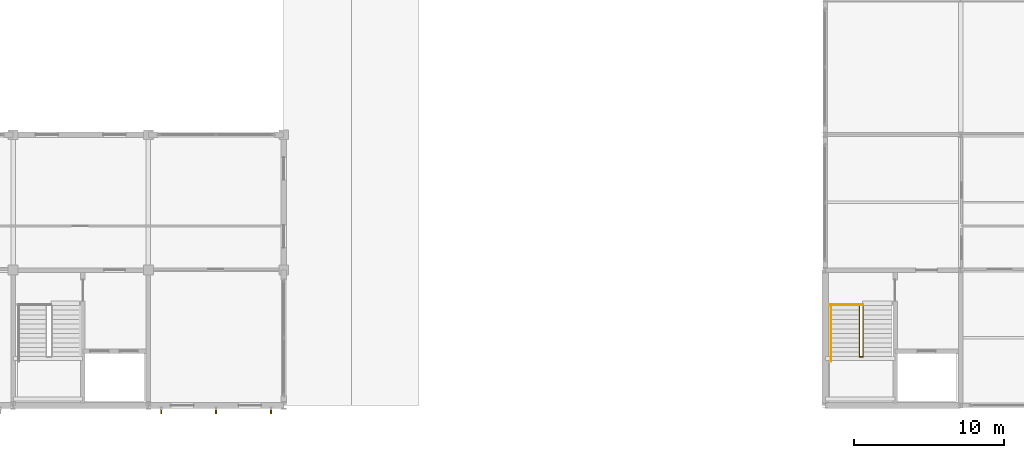
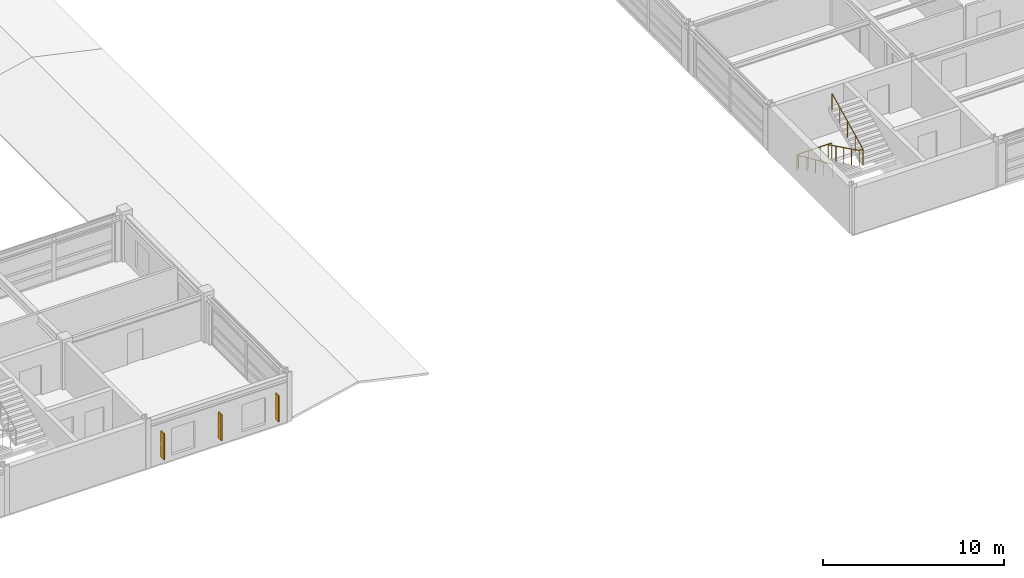
# One storey, part 89 of 91: 3 railings, 3 shading devices.
"""IFC4 building model written with IfcOpenShell, lengths in metres."""

from ifc_helpers import new_model, si_unit, direction, frame, origin, origin_2d, place, context, subcontext, project, spatial, rectangle, circle, extrude, material, type_object, element, save


model = new_model("IFC4")

# Units and contexts
model_context = context("Model", 3, precision=1e-05, world=origin(), true_north=direction((0.0, 1.0)))
body_context = subcontext(model_context, "Body", "Model", "MODEL_VIEW")
ifc_project = project(units=[si_unit("LENGTHUNIT", "METRE"), si_unit("AREAUNIT", "SQUARE_METRE"), si_unit("VOLUMEUNIT", "CUBIC_METRE"), si_unit("PLANEANGLEUNIT", "RADIAN"), si_unit("MASSUNIT", "GRAM", prefix="KILO")], contexts=[model_context])

# Site, building, storey
site_placement = place(None, origin())
site = spatial("IfcSite", under=ifc_project, at=site_placement, CompositionType="ELEMENT")
building_placement = place(site_placement, origin())
building = spatial("IfcBuilding", under=site, at=building_placement, Name="Palais des Congres Ocreval", CompositionType="ELEMENT")
storey_placement = place(building_placement, frame((0.0, 0.0, 8.159912109375)))
storey = spatial("IfcBuildingStorey", under=building, at=storey_placement, Name="L02", CompositionType="ELEMENT", Elevation=8.159912109375)

# Railings
ifc_material_1 = material(Name="Anodized bronze aluminium", Category="aluminium")
railing_type_1 = type_object("IfcRailingType", Name="Bronze Stair and Ramp Handrail 900", PredefinedType="HANDRAIL", material=ifc_material_1)
railing_1_placement = place(storey_placement, frame((108.3798828125, 6.64990234375, 0.14013671875)))
element("IfcRailing", 1, at=railing_1_placement, inside=storey, type_object=railing_type_1, Name="Stair Wall Handrail ST09 L02", PredefinedType="HANDRAIL", context=body_context, shape_type="SweptSolid", body=[
    extrude(circle(Radius=0.02392578125, at=origin_2d()), frame((0.0, 0.0, 0.8759765625), z_axis=(0.0, -0.911375665887, 0.411575504165), x_axis=(1.0, 0.0, 0.0)), (0.0, 0.0, 1.0), 4.081787109375),
    extrude(circle(Radius=0.02099609375, at=origin_2d()), origin(), (0.0, 0.0, 1.0), 0.851806640625),
    extrude(circle(Radius=0.02099609375, at=origin_2d()), frame((0.0, -0.929931640625, 0.419921875)), (0.0, 0.0, 1.0), 0.851806640625),
    extrude(circle(Radius=0.02099609375, at=origin_2d()), frame((0.0, -1.85986328125, 0.83984375)), (0.0, 0.0, 1.0), 0.851806640625),
    extrude(circle(Radius=0.02099609375, at=origin_2d()), frame((0.0, -2.7900390625, 1.260009765625)), (0.0, 0.0, 1.0), 0.851806640625),
    extrude(circle(Radius=0.02099609375, at=origin_2d()), frame((0.0, -3.719970703125, 1.679931640625)), (0.0, 0.0, 1.0), 0.851806640625),
])
ifc_material_2 = material(Name="Steel S355", Category="steel")
railing_type_2 = type_object("IfcRailingType", Name="Stairwell Steel Guardrail 1100", PredefinedType="GUARDRAIL", material=ifc_material_2)
railing_2_placement = place(storey_placement, frame((108.320068359375, 6.699951171875, 0.0)))
element("IfcRailing", 2, at=railing_2_placement, inside=storey, type_object=railing_type_2, Name="Stairwell Landing Edge Guard ST09 L02", PredefinedType="GUARDRAIL", context=body_context, shape_type="SweptSolid", body=[
    extrude(circle(Radius=0.02392578125, at=origin_2d()), frame((0.0, 0.0, 1.076171875), z_axis=(1.0, 0.0, 0.0), x_axis=(0.0, 1.0, 0.0)), (0.0, 0.0, 1.0), 2.199951171875),
    extrude(circle(Radius=0.02099609375, at=origin_2d()), origin(), (0.0, 0.0, 1.0), 1.052001953125),
    extrude(circle(Radius=0.02099609375, at=origin_2d()), frame((0.7333984375, 0.0, 0.0)), (0.0, 0.0, 1.0), 1.052001953125),
    extrude(circle(Radius=0.02099609375, at=origin_2d()), frame((1.466552734375, 0.0, 0.0)), (0.0, 0.0, 1.0), 1.052001953125),
    extrude(circle(Radius=0.02099609375, at=origin_2d()), frame((2.199951171875, 0.0, 0.0)), (0.0, 0.0, 1.0), 1.052001953125),
])
railing_3_placement = place(storey_placement, frame((110.280029296875, 6.64990234375, 0.0)))
element("IfcRailing", 3, at=railing_3_placement, inside=storey, type_object=railing_type_2, Name="Stair Inner Guardrail ST09 L02", PredefinedType="GUARDRAIL", context=body_context, shape_type="SweptSolid", body=[
    extrude(circle(Radius=0.02392578125, at=origin_2d()), frame((0.0, 0.0, 1.076171875), z_axis=(0.0, -0.897019490465, 0.441990988285), x_axis=(1.0, 0.0, 0.0)), (0.0, 0.0, 1.0), 3.80126953125),
    extrude(circle(Radius=0.02392578125, at=origin_2d()), frame((0.0, -3.409912109375, 2.75634765625), z_axis=(1.0, 0.0, 0.0), x_axis=(0.0, 1.0, 0.0)), (0.0, 0.0, 1.0), 0.239990234375),
    extrude(circle(Radius=0.02392578125, at=origin_2d()), frame((0.239990234375, -3.409912109375, 2.75634765625), z_axis=(0.0, 0.897044952961, 0.441939308465), x_axis=(-1.0, 0.0, 0.0)), (0.0, 0.0, 1.0), 3.80126953125),
    extrude(circle(Radius=0.02099609375, at=origin_2d()), origin(), (0.0, 0.0, 1.0), 1.052001953125),
    extrude(circle(Radius=0.02099609375, at=origin_2d()), frame((0.0, -0.8525390625, 0.419921875)), (0.0, 0.0, 1.0), 1.052001953125),
    extrude(circle(Radius=0.02099609375, at=origin_2d()), frame((0.0, -1.705078125, 0.840087890625)), (0.0, 0.0, 1.0), 1.052001953125),
    extrude(circle(Radius=0.02099609375, at=origin_2d()), frame((0.0, -2.557373046875, 1.26025390625)), (0.0, 0.0, 1.0), 1.052001953125),
    extrude(circle(Radius=0.02099609375, at=origin_2d()), frame((0.0, -3.409912109375, 1.68017578125)), (0.0, 0.0, 1.0), 1.052001953125),
    extrude(circle(Radius=0.02099609375, at=origin_2d()), frame((0.239990234375, -3.409912109375, 1.68017578125)), (0.0, 0.0, 1.0), 1.052001953125),
    extrude(circle(Radius=0.02099609375, at=origin_2d()), frame((0.239990234375, -2.557373046875, 2.10009765625)), (0.0, 0.0, 1.0), 1.052001953125),
    extrude(circle(Radius=0.02099609375, at=origin_2d()), frame((0.239990234375, -1.705078125, 2.52001953125)), (0.0, 0.0, 1.0), 1.052001953125),
    extrude(circle(Radius=0.02099609375, at=origin_2d()), frame((0.239990234375, -0.8525390625, 2.940185546875)), (0.0, 0.0, 1.0), 1.052001953125),
    extrude(circle(Radius=0.02099609375, at=origin_2d()), frame((0.239990234375, 0.0, 3.360107421875)), (0.0, 0.0, 1.0), 1.052001953125),
])

# Shading devices
ifc_material_3 = material(Name="Terracotta ceramic", Category="masonry")
shading_device_type = type_object("IfcShadingDeviceType", Name="Terracotta Ceramic Brise-Soleil Fin 360", PredefinedType="JALOUSIE", material=ifc_material_3)
for number, where, z_axis, x_axis, name in (
    (4, (71.14990234375, -0.360107421875, 0.47509765625), (0.0, 0.0, 1.0), (0.0, -1.0, 0.0), "Ceramic Celosia Sun-Fin SD01"),
    (5, (67.5, -0.360107421875, 0.47509765625), (0.0, 0.0, 1.0), (0.0, -1.0, 0.0), "Ceramic Celosia Sun-Fin SD01"),
    (6, (63.85009765625, -0.360107421875, 0.47509765625), (0.0, 0.0, 1.0), (0.0, -1.0, 0.0), "Ceramic Celosia Sun-Fin SD01"),
):
    element("IfcShadingDevice", number, at=place(storey_placement, frame(where, z_axis=z_axis, x_axis=x_axis)), inside=storey, type_object=shading_device_type, Name=name, PredefinedType="JALOUSIE", context=body_context, shape_type="SweptSolid", body=[
        extrude(rectangle(XDim=0.360107421875, YDim=0.080078125, at=origin_2d()), origin(), (0.0, 0.0, 1.0), 1.75),
    ])

save(model, "model.ifc")
